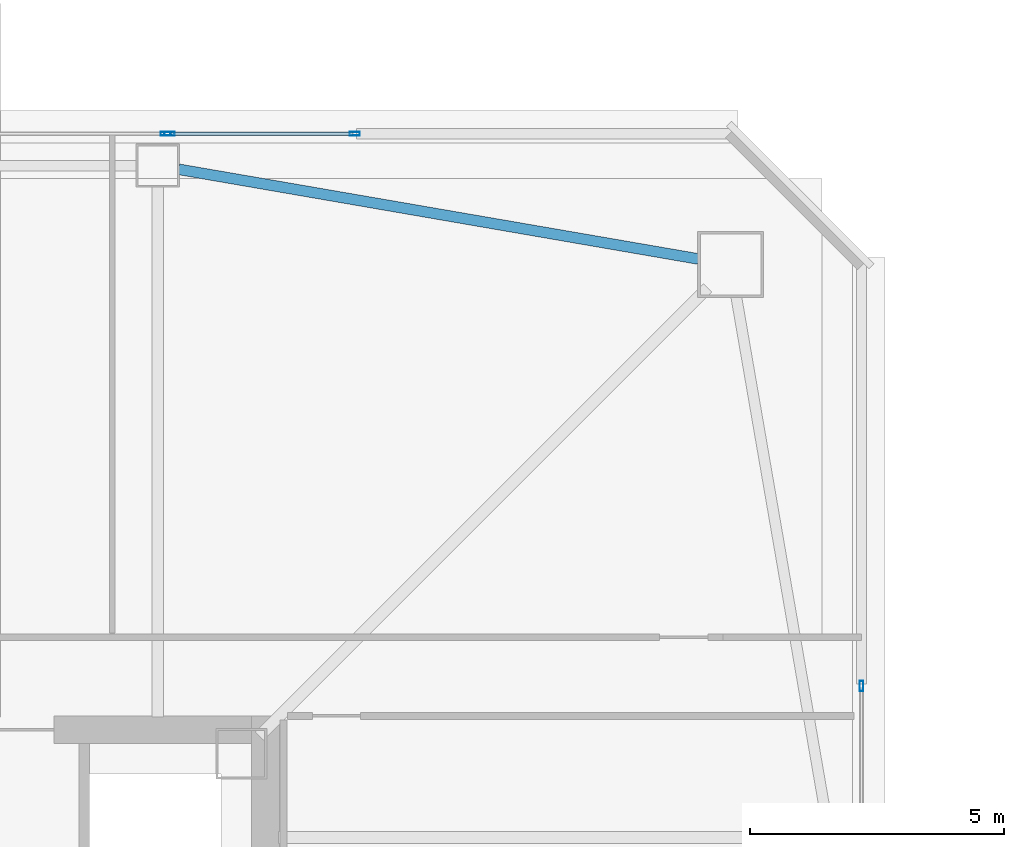
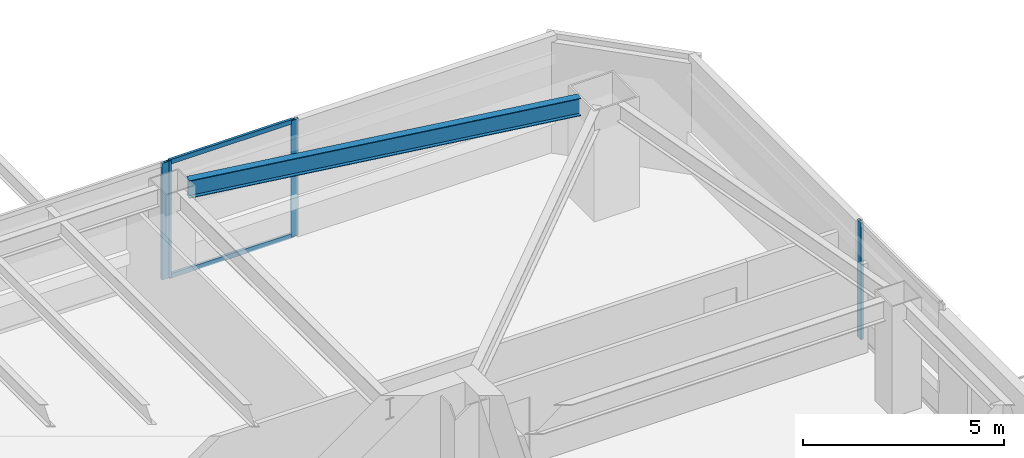
# One storey, part 15 of 40: 6 members, 1 beam, 3 elements without a shape of their own.
"""IFC4 building model written with IfcOpenShell, lengths in metres."""

import ifcopenshell
import ifcopenshell.guid

model = None  # the IFC model being written
_history = None  # IfcOwnerHistory: only IFC2X3 demands one
_inside = {}  # id of a spatial element -> (the spatial element, [elements in it])
_under = {}  # id of a project, library or spatial element -> (it, [spatial elements below it])
_declared = {}  # id of a project -> (the project, [libraries it declares])
_typed = {}  # id of a type object -> (the type object, [elements of that type])
_made_of = {}  # id of a material, layer set ... -> (it, [elements and type objects made of it])


def new_model(schema):
    """Start an empty IFC model of exactly this schema.

    Asked for "IFC4X3", IfcOpenShell would pick the latest addendum, in which some entities
    have other attributes; the version numbers below select the first issue.
    IFC2X3 requires an IfcOwnerHistory on every rooted entity: one is made here for all.
    """
    global model, _history
    if schema == "IFC4X3":
        model = ifcopenshell.file(schema_version=(4, 3, 0, 0))
    else:
        model = ifcopenshell.file(schema=schema)
    _inside.clear()
    _under.clear()
    _declared.clear()
    _typed.clear()
    _made_of.clear()
    _history = None
    if model.schema == "IFC2X3":
        org = make("IfcOrganization", Name="unknown")
        user = make(
            "IfcPersonAndOrganization",
            ThePerson=make("IfcPerson", FamilyName="unknown"),
            TheOrganization=org,
        )
        app = make(
            "IfcApplication",
            ApplicationDeveloper=org,
            Version="unknown",
            ApplicationFullName="unknown",
            ApplicationIdentifier="unknown",
        )
        _history = make(
            "IfcOwnerHistory",
            OwningUser=user,
            OwningApplication=app,
            ChangeAction="ADDED",
            CreationDate=0,
        )
    return model


def make(cls, **values):
    """One entity of the class cls with the attributes given. An attribute that is None is left unset."""
    return model.create_entity(
        cls, **{name: value for name, value in values.items() if value is not None}
    )


def rooted(cls, **values):
    """An entity with a GlobalId (a new one), such as an element, a storey or a relation."""
    return make(cls, GlobalId=ifcopenshell.guid.new(), OwnerHistory=_history, **values)


def si_unit(unit_type, name, prefix=None):
    """IfcSIUnit, for example si_unit("LENGTHUNIT", "METRE", prefix="MILLI")."""
    return make("IfcSIUnit", UnitType=unit_type, Prefix=prefix, Name=name)


def assignment(units):
    """IfcUnitAssignment: the units of a project."""
    return None if units is None else make("IfcUnitAssignment", Units=units)


def point(xyz):
    """IfcCartesianPoint."""
    return None if xyz is None else make("IfcCartesianPoint", Coordinates=xyz)


def direction(xyz):
    """IfcDirection."""
    return None if xyz is None else make("IfcDirection", DirectionRatios=xyz)


def frame(location, z_axis=None, x_axis=None):
    """IfcAxis2Placement3D, a coordinate frame: its origin and axes. An axis left out is left unset."""
    return make(
        "IfcAxis2Placement3D",
        Location=point(location),
        Axis=direction(z_axis),
        RefDirection=direction(x_axis),
    )


def frame_2d(location, x_axis=None):
    """IfcAxis2Placement2D, a coordinate frame in the plane: its origin and x axis."""
    return make(
        "IfcAxis2Placement2D", Location=point(location), RefDirection=direction(x_axis)
    )


def origin():
    """The frame at (0, 0, 0) with its axes left unset."""
    return frame((0.0, 0.0, 0.0))


def origin_2d():
    """The frame at (0, 0) in the plane with its x axis left unset."""
    return frame_2d((0.0, 0.0))


def place(relative_to, where):
    """IfcLocalPlacement: puts the frame where relative to a parent placement (None: the world)."""
    return make(
        "IfcLocalPlacement", PlacementRelTo=relative_to, RelativePlacement=where
    )


def context(
    kind, dimensions, precision=None, world=None, true_north=None, identifier=None
):
    """IfcGeometricRepresentationContext, for example the 3D "Model" context."""
    return make(
        "IfcGeometricRepresentationContext",
        ContextIdentifier=identifier,
        ContextType=kind,
        CoordinateSpaceDimension=dimensions,
        Precision=precision,
        WorldCoordinateSystem=world,
        TrueNorth=true_north,
    )


def subcontext(parent, identifier, kind, view, scale=None):
    """IfcGeometricRepresentationSubContext, for example "Body" below "Model"."""
    return make(
        "IfcGeometricRepresentationSubContext",
        ContextIdentifier=identifier,
        ContextType=kind,
        ParentContext=parent,
        TargetScale=scale,
        TargetView=view,
    )


def project(units=None, contexts=None):
    """IfcProject with its units and contexts."""
    return rooted(
        "IfcProject",
        Name="project",
        RepresentationContexts=contexts,
        UnitsInContext=assignment(units),
    )


def spatial(cls, under=None, at=None, **own):
    """A site, building, storey or space (cls), placed at a placement, below another one or the project."""
    s = rooted(cls, ObjectPlacement=at, **own)
    if under is not None:
        _under.setdefault(under.id(), (under, []))[1].append(s)
    return s


def profile(cls, at=None, kind="AREA", **sizes):
    """A parametric profile (cls). Its sizes go by their IFC names, for example OverallWidth=200.0."""
    return make(cls, ProfileType=kind, Position=at, **sizes)


def hollow_rectangle(**sizes):
    """IfcRectangleHollowProfileDef."""
    return profile("IfcRectangleHollowProfileDef", **sizes)


def i_section(**sizes):
    """IfcIShapeProfileDef."""
    return profile("IfcIShapeProfileDef", **sizes)


def extrude(swept, where, along, depth):
    """IfcExtrudedAreaSolid: the profile swept, set in the frame where, extruded along a direction by depth."""
    return make(
        "IfcExtrudedAreaSolid",
        SweptArea=swept,
        Position=where,
        ExtrudedDirection=direction(along),
        Depth=depth,
    )


def shape(context_of_items, identifier, shape_type, items):
    """IfcShapeRepresentation: the items that make up one representation, for example the "Body"."""
    return make(
        "IfcShapeRepresentation",
        ContextOfItems=context_of_items,
        RepresentationIdentifier=identifier,
        RepresentationType=shape_type,
        Items=items,
    )


def material(Name=None, Category=None):
    """IfcMaterial."""
    return make("IfcMaterial", Name=Name, Category=Category)


def material_profile(
    of_material, cross_section, Name=None, Category=None, Priority=None
):
    """IfcMaterialProfile: a cross section and its material."""
    return make(
        "IfcMaterialProfile",
        Name=Name,
        Material=of_material,
        Profile=cross_section,
        Priority=Priority,
        Category=Category,
    )


def profile_set(profiles, Name=None, composite=None):
    """IfcMaterialProfileSet."""
    return make(
        "IfcMaterialProfileSet",
        Name=Name,
        MaterialProfiles=profiles,
        CompositeProfile=composite,
    )


def made_of(thing, what):
    """Note that an element or type object is made of a material, layer set ...; save() writes the relation."""
    if what is not None:
        _made_of.setdefault(what.id(), (what, []))[1].append(thing)
    return thing


def type_object(cls, material=None, **own):
    """A type object (cls), such as IfcWallType, which elements share."""
    return made_of(rooted(cls, **own), material)


def element(
    cls,
    number,
    at=None,
    inside=None,
    cuts=None,
    type_object=None,
    material=None,
    context=None,
    identifier="Body",
    shape_type=None,
    held_by="IfcProductDefinitionShape",
    body=None,
    shapes=None,
    **own,
):
    """One element of the class cls, such as IfcWall. Its Tag is "e" and its number.

    at: its placement. inside: the storey or other place that contains it. cuts: it is an
    opening in that element (IfcRelVoidsElement). A single representation is given by context,
    identifier, shape_type and body (its items); several are given by shapes. held_by: the class
    of the entity that holds the representations. save() writes the other relations.
    """
    e = rooted(cls, Tag="e%d" % number, ObjectPlacement=at, **own)
    if body is not None:
        shapes = [shape(context, identifier, shape_type, body)]
    if shapes is not None:
        e.Representation = make(held_by, Representations=shapes)
    if inside is not None:
        _inside.setdefault(inside.id(), (inside, []))[1].append(e)
    if cuts is not None:
        rooted(
            "IfcRelVoidsElement", RelatingBuildingElement=cuts, RelatedOpeningElement=e
        )
    if type_object is not None:
        _typed.setdefault(type_object.id(), (type_object, []))[1].append(e)
    return made_of(e, material)


def aggregate(whole, parts):
    """IfcRelAggregates: a whole, such as a stair, and the parts it consists of."""
    return rooted("IfcRelAggregates", RelatingObject=whole, RelatedObjects=parts)


def save(model, path):
    """Write the relations noted so far, then the file.

    IfcRelAggregates (storeys below a building ...), IfcRelContainedInSpatialStructure (elements
    in a storey), IfcRelDefinesByType, IfcRelAssociatesMaterial and IfcRelDeclares: one each for
    every whole, place, type object, material and project.
    """
    for whole, parts in _under.values():
        aggregate(whole, parts)
    for where, things in _inside.values():
        rooted(
            "IfcRelContainedInSpatialStructure",
            RelatedElements=things,
            RelatingStructure=where,
        )
    for kind, things in _typed.values():
        rooted("IfcRelDefinesByType", RelatedObjects=things, RelatingType=kind)
    for what, things in _made_of.values():
        rooted("IfcRelAssociatesMaterial", RelatedObjects=things, RelatingMaterial=what)
    for by, libraries in _declared.values():
        rooted("IfcRelDeclares", RelatingContext=by, RelatedDefinitions=libraries)
    model.write(path)


model = new_model("IFC4")

# Units and contexts
model_context = context("Model", 3, precision=1e-05, world=origin(), true_north=direction((0.0, 1.0)))
body_context = subcontext(model_context, "Body", "Model", "MODEL_VIEW")
ifc_project = project(units=[si_unit("LENGTHUNIT", "METRE"), si_unit("AREAUNIT", "SQUARE_METRE"), si_unit("VOLUMEUNIT", "CUBIC_METRE"), si_unit("PLANEANGLEUNIT", "RADIAN"), si_unit("MASSUNIT", "GRAM", prefix="KILO")], contexts=[model_context])

# Site, building, storey
site_placement = place(None, origin())
site = spatial("IfcSite", under=ifc_project, at=site_placement, CompositionType="ELEMENT")
building_placement = place(site_placement, origin())
building = spatial("IfcBuilding", under=site, at=building_placement, Name="Tashvorn Skyway Center", CompositionType="ELEMENT")
storey_placement = place(building_placement, frame((0.0, 0.0, 142.800048828125)))
storey = spatial("IfcBuildingStorey", under=building, at=storey_placement, Name="L38", CompositionType="ELEMENT", Elevation=142.800048828125)

# Beam
ifc_material_1 = material(Name="Steel ASTM A992 Grade 50", Category="steel")
ifc_material_profile_1 = material_profile(ifc_material_1, i_section(OverallWidth=0.2109375, OverallDepth=0.5390625, WebThickness=0.01171875, FlangeThickness=0.018798828125, at=origin_2d()), Name="W21X73")
ifc_profile_set_1 = profile_set([ifc_material_profile_1], Name="Steel ASTM A992 Grade 50")
beam_type = type_object("IfcBeamType", Name="BM-SPANDREL-W21X73", PredefinedType="SPANDREL", material=ifc_profile_set_1)
beam_placement = place(storey_placement, frame((58.064453125, 48.8095703125, 3.100341796875), z_axis=(-0.985432458462, 0.170067250846, 0.0), x_axis=(-0.170067250846, -0.985432458462, 0.0)))
element("IfcBeam", 1, at=beam_placement, inside=storey, type_object=beam_type, Name="Tower 1 L38 Spandrel Beam 07", PredefinedType="SPANDREL", context=body_context, shape_type="SweptSolid", body=[
    extrude(i_section(OverallWidth=0.2109375, OverallDepth=0.5390625, WebThickness=0.01171875, FlangeThickness=0.018798828125, at=origin_2d()), origin(), (0.0, 0.0, 1.0), 10.402099609375),
])

# Curtain wall, member
ifc_material_2 = material(Name="Thermally broken bronze-anodized aluminium 6063-T6", Category="aluminium")
curtain_wall_type = type_object("IfcCurtainWallType", Name="CW-CW-Z3", PredefinedType="NOTDEFINED", material=ifc_material_2)
curtain_wall_1_placement = place(storey_placement, origin())
curtain_wall_1 = element("IfcCurtainWall", 2, at=curtain_wall_1_placement, inside=storey, type_object=curtain_wall_type, Name="Tower 1 L38 North Unitised Curtain Wall Glazing Group 2", PredefinedType="NOTDEFINED")
ifc_material_profile_2 = material_profile(ifc_material_2, hollow_rectangle(XDim=0.074951171875, YDim=0.199951171875, WallThickness=0.00439453125, at=origin_2d()), Name="ALU-MULL-75x200")
ifc_profile_set_2 = profile_set([ifc_material_profile_2], Name="Thermally broken bronze-anodized aluminium 6063-T6")
member_type_1 = type_object("IfcMemberType", Name="CWM-CW-Z3", PredefinedType="MULLION", material=ifc_profile_set_2)
member_1_placement = place(storey_placement, frame((47.555908203125, 51.280029296875, 0.0), z_axis=(0.0, 0.0, 1.0), x_axis=(0.0, 1.0, 0.0)))
member_1 = element("IfcMember", 3, at=member_1_placement, type_object=member_type_1, Name="CW-Z3 mullion 2", PredefinedType="MULLION", context=body_context, shape_type="SweptSolid", body=[
    extrude(hollow_rectangle(XDim=0.074951171875, YDim=0.199951171875, WallThickness=0.00439453125, at=origin_2d()), origin(), (0.0, 0.0, 1.0), 3.550048828125),
])
aggregate(curtain_wall_1, [member_1])

# Curtain wall, members
curtain_wall_2_placement = place(storey_placement, origin())
curtain_wall_2 = element("IfcCurtainWall", 4, at=curtain_wall_2_placement, inside=storey, type_object=curtain_wall_type, Name="Tower 1 L38 North Unitised Curtain Wall Glazing Group 3", PredefinedType="NOTDEFINED")
member_2_placement = place(storey_placement, frame((47.630859375, 51.280029296875, 0.0), z_axis=(0.0, 0.0, 1.0), x_axis=(0.0, 1.0, 0.0)))
member_2 = element("IfcMember", 5, at=member_2_placement, type_object=member_type_1, Name="CW-Z3 mullion 1", PredefinedType="MULLION", context=body_context, shape_type="SweptSolid", body=[
    extrude(hollow_rectangle(XDim=0.074951171875, YDim=0.199951171875, WallThickness=0.00439453125, at=origin_2d()), origin(), (0.0, 0.0, 1.0), 3.550048828125),
])
member_3_placement = place(storey_placement, frame((51.28466796875, 51.280029296875, 0.0), z_axis=(0.0, 0.0, 1.0), x_axis=(0.0, 1.0, 0.0)))
member_3 = element("IfcMember", 6, at=member_3_placement, type_object=member_type_1, Name="CW-Z3 mullion 2", PredefinedType="MULLION", context=body_context, shape_type="SweptSolid", body=[
    extrude(hollow_rectangle(XDim=0.074951171875, YDim=0.199951171875, WallThickness=0.00439453125, at=origin_2d()), origin(), (0.0, 0.0, 1.0), 3.550048828125),
])

# Curtain wall, member
curtain_wall_3_placement = place(storey_placement, origin())
curtain_wall_3 = element("IfcCurtainWall", 7, at=curtain_wall_3_placement, inside=storey, type_object=curtain_wall_type, Name="Tower 1 L38 East Curtain Wall L Glazing Group 1", PredefinedType="NOTDEFINED")
member_4_placement = place(storey_placement, frame((61.280029296875, 40.38916015625, 0.0), z_axis=(0.0, 0.0, 1.0), x_axis=(1.0, 0.0, 0.0)))
member_4 = element("IfcMember", 8, at=member_4_placement, type_object=member_type_1, Name="CW-Z3 mullion 1", PredefinedType="MULLION", context=body_context, shape_type="SweptSolid", body=[
    extrude(hollow_rectangle(XDim=0.074951171875, YDim=0.199951171875, WallThickness=0.00439453125, at=origin_2d()), origin(), (0.0, 0.0, 1.0), 3.550048828125),
])
aggregate(curtain_wall_3, [member_4])

# Member
ifc_material_profile_3 = material_profile(ifc_material_2, hollow_rectangle(XDim=0.074951171875, YDim=0.139892578125, WallThickness=0.004150390625, at=origin_2d()), Name="ALU-TRAN-75x140")
ifc_profile_set_3 = profile_set([ifc_material_profile_3], Name="Thermally broken bronze-anodized aluminium 6063-T6")
member_type_2 = type_object("IfcMemberType", Name="CWT-CW-Z3", PredefinedType="USERDEFINED", material=ifc_profile_set_3)
member_5_placement = place(storey_placement, frame((47.668212890625, 51.280029296875, 0.037353515625), z_axis=(1.0, 0.0, 0.0), x_axis=(0.0, 1.0, 0.0)))
member_5 = element("IfcMember", 9, at=member_5_placement, type_object=member_type_2, Name="CW-Z3 transom 1.1", ObjectType="TRANSOM", PredefinedType="USERDEFINED", context=body_context, shape_type="SweptSolid", body=[
    extrude(hollow_rectangle(XDim=0.074951171875, YDim=0.139892578125, WallThickness=0.004150390625, at=origin_2d()), origin(), (0.0, 0.0, 1.0), 3.5791015625),
])

member_6_placement = place(storey_placement, frame((47.668212890625, 51.280029296875, 3.512451171875), z_axis=(1.0, 0.0, 0.0), x_axis=(0.0, 1.0, 0.0)))
member_6 = element("IfcMember", 10, at=member_6_placement, type_object=member_type_2, Name="CW-Z3 transom 1.2", ObjectType="TRANSOM", PredefinedType="USERDEFINED", context=body_context, shape_type="SweptSolid", body=[
    extrude(hollow_rectangle(XDim=0.074951171875, YDim=0.139892578125, WallThickness=0.004150390625, at=origin_2d()), origin(), (0.0, 0.0, 1.0), 3.5791015625),
])

aggregate(curtain_wall_2, [member_2, member_3, member_5, member_6])

save(model, "model.ifc")
